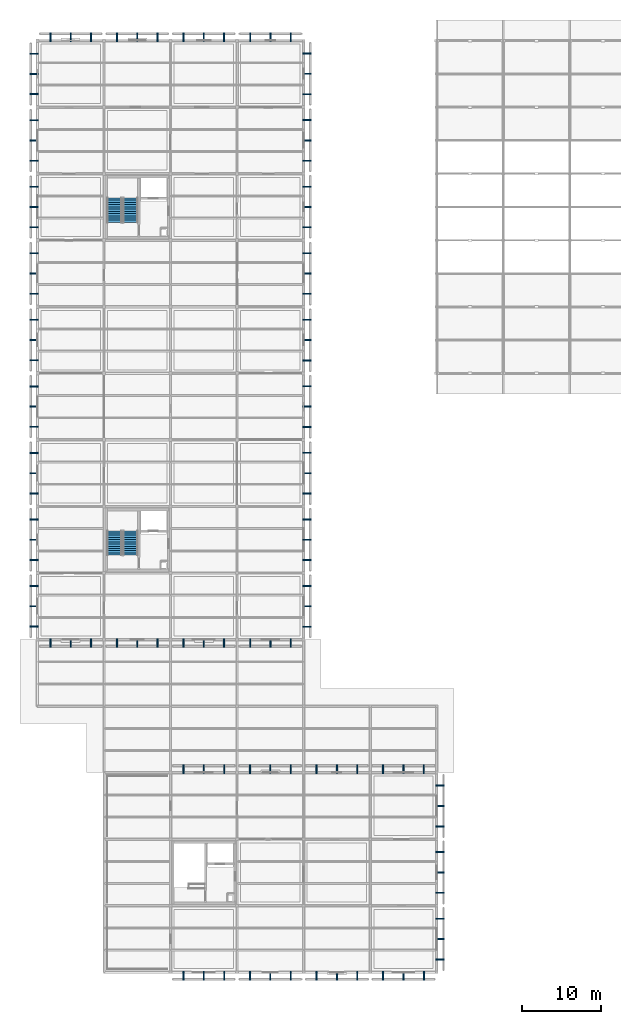
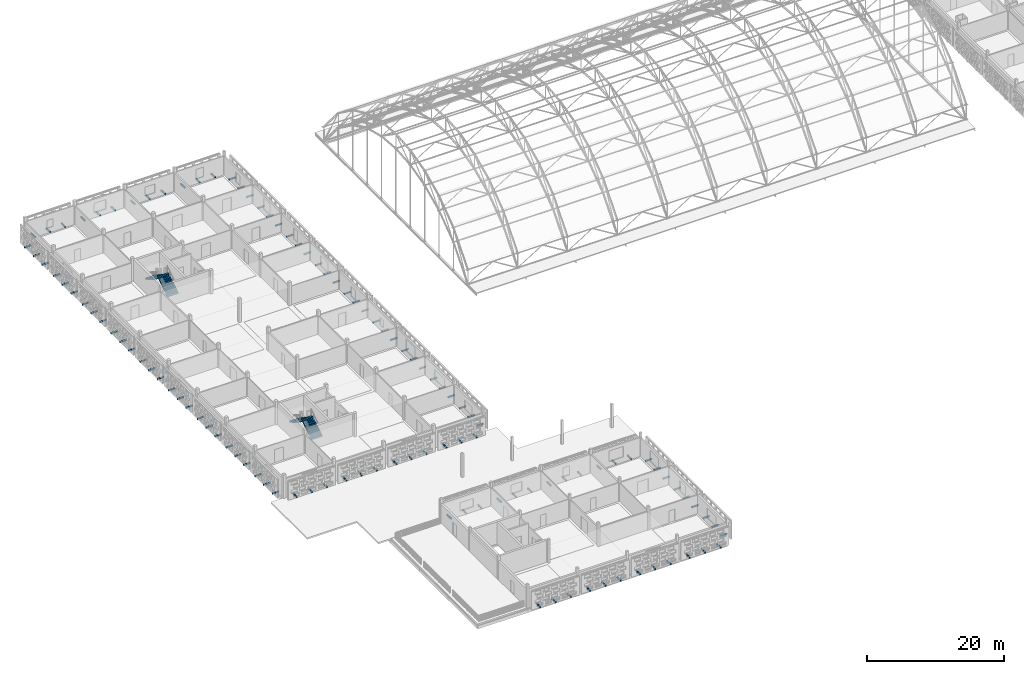
# One storey, part 77 of 103: 111 discrete accessories, 4 stair flights, 2 elements without a shape of their own.
"""IFC4 building model written with IfcOpenShell, lengths in metres."""

from ifc_helpers import new_model, si_unit, direction, frame, origin, origin_2d, place, context, subcontext, project, spatial, polyline, rectangle, outline, extrude, material, type_object, element, aggregate, save


model = new_model("IFC4")

# Units and contexts
model_context = context("Model", 3, precision=1e-05, world=origin(), true_north=direction((0.0, 1.0)))
body_context = subcontext(model_context, "Body", "Model", "MODEL_VIEW")
ifc_project = project(units=[si_unit("LENGTHUNIT", "METRE"), si_unit("AREAUNIT", "SQUARE_METRE"), si_unit("VOLUMEUNIT", "CUBIC_METRE"), si_unit("PLANEANGLEUNIT", "RADIAN"), si_unit("MASSUNIT", "GRAM", prefix="KILO")], contexts=[model_context])

# Site, building, storey
site_placement = place(None, origin())
site = spatial("IfcSite", under=ifc_project, at=site_placement, CompositionType="ELEMENT")
building_placement = place(site_placement, origin())
building = spatial("IfcBuilding", under=site, at=building_placement, Name="Varnapada Polytechnic", CompositionType="ELEMENT")
storey_placement = place(building_placement, frame((0.0, 0.0, 18.0)))
storey = spatial("IfcBuildingStorey", under=building, at=storey_placement, Name="L04", CompositionType="ELEMENT", Elevation=18.0)

# Stair, stair flights
ifc_material_1 = material(Name="Concrete C40/50", Category="concrete")
stair_type = type_object("IfcStairType", Name="Core Exit Stair ST-A", PredefinedType="HALF_TURN_STAIR", material=ifc_material_1)
stair_1_placement = place(storey_placement, origin())
stair_1 = element("IfcStair", 1, at=stair_1_placement, inside=storey, type_object=stair_type, Name="L04 Core C1 Exit Stair", PredefinedType="HALF_TURN_STAIR")
stair_flight_type = type_object("IfcStairFlightType", Name="Stair Flight SFL-01", PredefinedType="STRAIGHT", material=ifc_material_1)
stair_flight_1_placement = place(storey_placement, frame((11.77490234375, 103.050048828125, 0.0), z_axis=(0.0, 0.0, 1.0), x_axis=(0.0, 1.0, 0.0)))
stair_flight_1 = element("IfcStairFlight", 2, at=stair_flight_1_placement, type_object=stair_flight_type, Name="ST-1 flight 1", NumberOfRisers=12, NumberOfTreads=11, PredefinedType="STRAIGHT", RiserHeight=0.175, TreadLength=0.28, context=body_context, shape_type="SweptSolid", body=[
    extrude(outline(polyline([(0.0, 0.0), (0.0, 0.175048828125), (0.280029296875, 0.175048828125), (0.280029296875, 0.35009765625), (0.56005859375, 0.35009765625), (0.56005859375, 0.52490234375), (0.840087890625, 0.52490234375), (0.840087890625, 0.699951171875), (1.1201171875, 0.699951171875), (1.1201171875, 0.875), (1.39990234375, 0.875), (1.39990234375, 1.050048828125), (1.679931640625, 1.050048828125), (1.679931640625, 1.22509765625), (1.9599609375, 1.22509765625), (1.9599609375, 1.39990234375), (2.239990234375, 1.39990234375), (2.239990234375, 1.574951171875), (2.52001953125, 1.574951171875), (2.52001953125, 1.75), (2.800048828125, 1.75), (2.800048828125, 1.925048828125), (3.080078125, 1.925048828125), (3.080078125, 2.10009765625), (3.080078125, 1.712890625), (0.339599609375, 0.0), (0.0, 0.0)])), frame((0.0, 0.925048828125, 0.0), z_axis=(0.0, -1.0, 0.0), x_axis=(1.0, 0.0, 0.0)), (0.0, 0.0, 1.0), 1.85009765625),
])
stair_flight_2_placement = place(storey_placement, frame((9.72509765625, 106.1298828125, 2.10009765625), z_axis=(0.0, 0.0, 1.0), x_axis=(0.0, -1.0, 0.0)))
stair_flight_2 = element("IfcStairFlight", 3, at=stair_flight_2_placement, type_object=stair_flight_type, Name="ST-1 flight 2", NumberOfRisers=12, NumberOfTreads=11, PredefinedType="STRAIGHT", RiserHeight=0.175, TreadLength=0.28, context=body_context, shape_type="SweptSolid", body=[
    extrude(outline(polyline([(0.0, 0.0), (0.0, 0.175048828125), (0.280029296875, 0.175048828125), (0.280029296875, 0.35009765625), (0.56005859375, 0.35009765625), (0.56005859375, 0.52490234375), (0.840087890625, 0.52490234375), (0.840087890625, 0.699951171875), (1.1201171875, 0.699951171875), (1.1201171875, 0.875), (1.39990234375, 0.875), (1.39990234375, 1.050048828125), (1.679931640625, 1.050048828125), (1.679931640625, 1.22509765625), (1.9599609375, 1.22509765625), (1.9599609375, 1.39990234375), (2.239990234375, 1.39990234375), (2.239990234375, 1.574951171875), (2.52001953125, 1.574951171875), (2.52001953125, 1.75), (2.800048828125, 1.75), (2.800048828125, 1.925048828125), (3.080078125, 1.925048828125), (3.080078125, 2.10009765625), (3.080078125, 1.712890625), (0.339599609375, 0.0), (0.0, 0.0)])), frame((0.0, 0.925048828125, 0.0), z_axis=(0.0, -1.0, 0.0), x_axis=(1.0, 0.0, 0.0)), (0.0, 0.0, 1.0), 1.85009765625),
])
aggregate(stair_1, [stair_flight_1, stair_flight_2])

stair_2_placement = place(storey_placement, origin())
stair_2 = element("IfcStair", 4, at=stair_2_placement, inside=storey, type_object=stair_type, Name="L04 Core C2 Exit Stair", PredefinedType="HALF_TURN_STAIR")
stair_flight_3_placement = place(storey_placement, frame((11.77490234375, 61.050048828125, 0.0), z_axis=(0.0, 0.0, 1.0), x_axis=(0.0, 1.0, 0.0)))
stair_flight_3 = element("IfcStairFlight", 5, at=stair_flight_3_placement, type_object=stair_flight_type, Name="ST-2 flight 1", NumberOfRisers=12, NumberOfTreads=11, PredefinedType="STRAIGHT", RiserHeight=0.175, TreadLength=0.28, context=body_context, shape_type="SweptSolid", body=[
    extrude(outline(polyline([(0.0, 0.0), (0.0, 0.175048828125), (0.280029296875, 0.175048828125), (0.280029296875, 0.35009765625), (0.56005859375, 0.35009765625), (0.56005859375, 0.52490234375), (0.840087890625, 0.52490234375), (0.840087890625, 0.699951171875), (1.1201171875, 0.699951171875), (1.1201171875, 0.875), (1.39990234375, 0.875), (1.39990234375, 1.050048828125), (1.679931640625, 1.050048828125), (1.679931640625, 1.22509765625), (1.9599609375, 1.22509765625), (1.9599609375, 1.39990234375), (2.239990234375, 1.39990234375), (2.239990234375, 1.574951171875), (2.52001953125, 1.574951171875), (2.52001953125, 1.75), (2.800048828125, 1.75), (2.800048828125, 1.925048828125), (3.080078125, 1.925048828125), (3.080078125, 2.10009765625), (3.080078125, 1.712890625), (0.339599609375, 0.0), (0.0, 0.0)])), frame((0.0, 0.925048828125, 0.0), z_axis=(0.0, -1.0, 0.0), x_axis=(1.0, 0.0, 0.0)), (0.0, 0.0, 1.0), 1.85009765625),
])
stair_flight_4_placement = place(storey_placement, frame((9.72509765625, 64.1298828125, 2.10009765625), z_axis=(0.0, 0.0, 1.0), x_axis=(0.0, -1.0, 0.0)))
stair_flight_4 = element("IfcStairFlight", 6, at=stair_flight_4_placement, type_object=stair_flight_type, Name="ST-2 flight 2", NumberOfRisers=12, NumberOfTreads=11, PredefinedType="STRAIGHT", RiserHeight=0.175, TreadLength=0.28, context=body_context, shape_type="SweptSolid", body=[
    extrude(outline(polyline([(0.0, 0.0), (0.0, 0.175048828125), (0.280029296875, 0.175048828125), (0.280029296875, 0.35009765625), (0.56005859375, 0.35009765625), (0.56005859375, 0.52490234375), (0.840087890625, 0.52490234375), (0.840087890625, 0.699951171875), (1.1201171875, 0.699951171875), (1.1201171875, 0.875), (1.39990234375, 0.875), (1.39990234375, 1.050048828125), (1.679931640625, 1.050048828125), (1.679931640625, 1.22509765625), (1.9599609375, 1.22509765625), (1.9599609375, 1.39990234375), (2.239990234375, 1.39990234375), (2.239990234375, 1.574951171875), (2.52001953125, 1.574951171875), (2.52001953125, 1.75), (2.800048828125, 1.75), (2.800048828125, 1.925048828125), (3.080078125, 1.925048828125), (3.080078125, 2.10009765625), (3.080078125, 1.712890625), (0.339599609375, 0.0), (0.0, 0.0)])), frame((0.0, 0.925048828125, 0.0), z_axis=(0.0, -1.0, 0.0), x_axis=(1.0, 0.0, 0.0)), (0.0, 0.0, 1.0), 1.85009765625),
])
aggregate(stair_2, [stair_flight_3, stair_flight_4])

# Discrete accessories
ifc_material_2 = material(Name="Steel S355", Category="steel")
discrete_accessory_type = type_object("IfcDiscreteAccessoryType", Name="Screen Outrigger Bracket BRK-01", PredefinedType="BRACKET", material=ifc_material_2)
for number, where, z_axis, x_axis, name in (
    (7, (6.753662109375, 49.97509765625, -0.0498046875), (0.0, 0.0, 1.0), (-1.0, 0.0, 0.0), "L04 terracotta screen outrigger bracket 1.1"),
    (8, (4.199951171875, 49.97509765625, -0.0498046875), (0.0, 0.0, 1.0), (-1.0, 0.0, 0.0), "L04 terracotta screen outrigger bracket 1.2"),
    (9, (1.646484375, 49.97509765625, -0.0498046875), (0.0, 0.0, 1.0), (-1.0, 0.0, 0.0), "L04 terracotta screen outrigger bracket 1.3"),
    (10, (-0.425048828125, 52.04638671875, -0.0498046875), (0.0, 0.0, 1.0), (0.0, 1.0, 0.0), "L04 terracotta screen outrigger bracket 2.1"),
    (11, (-0.425048828125, 54.60009765625, -0.0498046875), (0.0, 0.0, 1.0), (0.0, 1.0, 0.0), "L04 terracotta screen outrigger bracket 2.2"),
    (12, (-0.425048828125, 57.153564453125, -0.0498046875), (0.0, 0.0, 1.0), (0.0, 1.0, 0.0), "L04 terracotta screen outrigger bracket 2.3"),
    (13, (-0.425048828125, 60.4462890625, -0.0498046875), (0.0, 0.0, 1.0), (0.0, 1.0, 0.0), "L04 terracotta screen outrigger bracket 3.1"),
    (14, (-0.425048828125, 63.0, -0.0498046875), (0.0, 0.0, 1.0), (0.0, 1.0, 0.0), "L04 terracotta screen outrigger bracket 3.2"),
    (15, (-0.425048828125, 65.5537109375, -0.0498046875), (0.0, 0.0, 1.0), (0.0, 1.0, 0.0), "L04 terracotta screen outrigger bracket 3.3"),
    (16, (-0.425048828125, 68.846435546875, -0.0498046875), (0.0, 0.0, 1.0), (0.0, 1.0, 0.0), "L04 terracotta screen outrigger bracket 4.1"),
    (17, (-0.425048828125, 71.39990234375, -0.0498046875), (0.0, 0.0, 1.0), (0.0, 1.0, 0.0), "L04 terracotta screen outrigger bracket 4.2"),
    (18, (-0.425048828125, 73.95361328125, -0.0498046875), (0.0, 0.0, 1.0), (0.0, 1.0, 0.0), "L04 terracotta screen outrigger bracket 4.3"),
    (19, (-0.425048828125, 77.246337890625, -0.0498046875), (0.0, 0.0, 1.0), (0.0, 1.0, 0.0), "L04 terracotta screen outrigger bracket 5.1"),
    (20, (-0.425048828125, 79.800048828125, -0.0498046875), (0.0, 0.0, 1.0), (0.0, 1.0, 0.0), "L04 terracotta screen outrigger bracket 5.2"),
    (21, (-0.425048828125, 82.353515625, -0.0498046875), (0.0, 0.0, 1.0), (0.0, 1.0, 0.0), "L04 terracotta screen outrigger bracket 5.3"),
    (22, (-0.425048828125, 85.646484375, -0.0498046875), (0.0, 0.0, 1.0), (0.0, 1.0, 0.0), "L04 terracotta screen outrigger bracket 6.1"),
    (23, (-0.425048828125, 88.199951171875, -0.0498046875), (0.0, 0.0, 1.0), (0.0, 1.0, 0.0), "L04 terracotta screen outrigger bracket 6.2"),
    (24, (-0.425048828125, 90.753662109375, -0.0498046875), (0.0, 0.0, 1.0), (0.0, 1.0, 0.0), "L04 terracotta screen outrigger bracket 6.3"),
    (25, (-0.425048828125, 94.04638671875, -0.0498046875), (0.0, 0.0, 1.0), (0.0, 1.0, 0.0), "L04 terracotta screen outrigger bracket 7.1"),
    (26, (-0.425048828125, 96.60009765625, -0.0498046875), (0.0, 0.0, 1.0), (0.0, 1.0, 0.0), "L04 terracotta screen outrigger bracket 7.2"),
    (27, (-0.425048828125, 99.153564453125, -0.0498046875), (0.0, 0.0, 1.0), (0.0, 1.0, 0.0), "L04 terracotta screen outrigger bracket 7.3"),
    (28, (-0.425048828125, 102.4462890625, -0.0498046875), (0.0, 0.0, 1.0), (0.0, 1.0, 0.0), "L04 terracotta screen outrigger bracket 8.1"),
    (29, (-0.425048828125, 105.0, -0.0498046875), (0.0, 0.0, 1.0), (0.0, 1.0, 0.0), "L04 terracotta screen outrigger bracket 8.2"),
    (30, (-0.425048828125, 107.5537109375, -0.0498046875), (0.0, 0.0, 1.0), (0.0, 1.0, 0.0), "L04 terracotta screen outrigger bracket 8.3"),
    (31, (-0.425048828125, 110.846435546875, -0.0498046875), (0.0, 0.0, 1.0), (0.0, 1.0, 0.0), "L04 terracotta screen outrigger bracket 9.1"),
    (32, (-0.425048828125, 113.39990234375, -0.0498046875), (0.0, 0.0, 1.0), (0.0, 1.0, 0.0), "L04 terracotta screen outrigger bracket 9.2"),
    (33, (-0.425048828125, 115.95361328125, -0.0498046875), (0.0, 0.0, 1.0), (0.0, 1.0, 0.0), "L04 terracotta screen outrigger bracket 9.3"),
    (34, (1.646484375, 126.425048828125, -0.0498046875), (0.0, 0.0, 1.0), (1.0, 0.0, 0.0), "L04 terracotta screen outrigger bracket 10.1"),
    (35, (4.199951171875, 126.425048828125, -0.0498046875), (0.0, 0.0, 1.0), (1.0, 0.0, 0.0), "L04 terracotta screen outrigger bracket 10.2"),
    (36, (6.753662109375, 126.425048828125, -0.0498046875), (0.0, 0.0, 1.0), (1.0, 0.0, 0.0), "L04 terracotta screen outrigger bracket 10.3"),
    (37, (-0.425048828125, 119.246337890625, -0.0498046875), (0.0, 0.0, 1.0), (0.0, 1.0, 0.0), "L04 terracotta screen outrigger bracket 11.1"),
    (38, (-0.425048828125, 121.800048828125, -0.0498046875), (0.0, 0.0, 1.0), (0.0, 1.0, 0.0), "L04 terracotta screen outrigger bracket 11.2"),
    (39, (-0.425048828125, 124.353515625, -0.0498046875), (0.0, 0.0, 1.0), (0.0, 1.0, 0.0), "L04 terracotta screen outrigger bracket 11.3"),
    (40, (15.153564453125, 49.97509765625, -0.0498046875), (0.0, 0.0, 1.0), (-1.0, 0.0, 0.0), "L04 terracotta screen outrigger bracket 12.1"),
    (41, (12.60009765625, 49.97509765625, -0.0498046875), (0.0, 0.0, 1.0), (-1.0, 0.0, 0.0), "L04 terracotta screen outrigger bracket 12.2"),
    (42, (10.04638671875, 49.97509765625, -0.0498046875), (0.0, 0.0, 1.0), (-1.0, 0.0, 0.0), "L04 terracotta screen outrigger bracket 12.3"),
    (43, (10.04638671875, 126.425048828125, -0.0498046875), (0.0, 0.0, 1.0), (1.0, 0.0, 0.0), "L04 terracotta screen outrigger bracket 13.1"),
    (44, (12.60009765625, 126.425048828125, -0.0498046875), (0.0, 0.0, 1.0), (1.0, 0.0, 0.0), "L04 terracotta screen outrigger bracket 13.2"),
    (45, (15.153564453125, 126.425048828125, -0.0498046875), (0.0, 0.0, 1.0), (1.0, 0.0, 0.0), "L04 terracotta screen outrigger bracket 13.3"),
    (46, (23.5791015625, 7.97509765625, -0.0498046875), (0.0, 0.0, 1.0), (-1.0, 0.0, 0.0), "L04 terracotta screen outrigger bracket 14.1"),
    (47, (21.0, 7.97509765625, -0.0498046875), (0.0, 0.0, 1.0), (-1.0, 0.0, 0.0), "L04 terracotta screen outrigger bracket 14.2"),
    (48, (18.4208984375, 7.97509765625, -0.0498046875), (0.0, 0.0, 1.0), (-1.0, 0.0, 0.0), "L04 terracotta screen outrigger bracket 14.3"),
    (49, (18.42724609375, 34.02490234375, -0.0498046875), (0.0, 0.0, 1.0), (1.0, 0.0, 0.0), "L04 terracotta screen outrigger bracket 17.1"),
    (50, (21.0, 34.02490234375, -0.0498046875), (0.0, 0.0, 1.0), (1.0, 0.0, 0.0), "L04 terracotta screen outrigger bracket 17.2"),
    (51, (23.57275390625, 34.02490234375, -0.0498046875), (0.0, 0.0, 1.0), (1.0, 0.0, 0.0), "L04 terracotta screen outrigger bracket 17.3"),
    (52, (23.5537109375, 49.97509765625, -0.0498046875), (0.0, 0.0, 1.0), (-1.0, 0.0, 0.0), "L04 terracotta screen outrigger bracket 19.1"),
    (53, (21.0, 49.97509765625, -0.0498046875), (0.0, 0.0, 1.0), (-1.0, 0.0, 0.0), "L04 terracotta screen outrigger bracket 19.2"),
    (54, (18.4462890625, 49.97509765625, -0.0498046875), (0.0, 0.0, 1.0), (-1.0, 0.0, 0.0), "L04 terracotta screen outrigger bracket 19.3"),
    (55, (18.4462890625, 126.425048828125, -0.0498046875), (0.0, 0.0, 1.0), (1.0, 0.0, 0.0), "L04 terracotta screen outrigger bracket 20.1"),
    (56, (21.0, 126.425048828125, -0.0498046875), (0.0, 0.0, 1.0), (1.0, 0.0, 0.0), "L04 terracotta screen outrigger bracket 20.2"),
    (57, (23.5537109375, 126.425048828125, -0.0498046875), (0.0, 0.0, 1.0), (1.0, 0.0, 0.0), "L04 terracotta screen outrigger bracket 20.3"),
    (58, (31.979248046875, 7.97509765625, -0.0498046875), (0.0, 0.0, 1.0), (-1.0, 0.0, 0.0), "L04 terracotta screen outrigger bracket 21.1"),
    (59, (29.39990234375, 7.97509765625, -0.0498046875), (0.0, 0.0, 1.0), (-1.0, 0.0, 0.0), "L04 terracotta screen outrigger bracket 21.2"),
    (60, (26.82080078125, 7.97509765625, -0.0498046875), (0.0, 0.0, 1.0), (-1.0, 0.0, 0.0), "L04 terracotta screen outrigger bracket 21.3"),
    (61, (26.8271484375, 34.02490234375, -0.0498046875), (0.0, 0.0, 1.0), (1.0, 0.0, 0.0), "L04 terracotta screen outrigger bracket 22.1"),
    (62, (29.39990234375, 34.02490234375, -0.0498046875), (0.0, 0.0, 1.0), (1.0, 0.0, 0.0), "L04 terracotta screen outrigger bracket 22.2"),
    (63, (31.972900390625, 34.02490234375, -0.0498046875), (0.0, 0.0, 1.0), (1.0, 0.0, 0.0), "L04 terracotta screen outrigger bracket 22.3"),
    (64, (31.978271484375, 49.97509765625, -0.0498046875), (0.0, 0.0, 1.0), (-1.0, 0.0, 0.0), "L04 terracotta screen outrigger bracket 23.1"),
    (65, (29.4150390625, 49.97509765625, -0.0498046875), (0.0, 0.0, 1.0), (-1.0, 0.0, 0.0), "L04 terracotta screen outrigger bracket 23.2"),
    (66, (26.851806640625, 49.97509765625, -0.0498046875), (0.0, 0.0, 1.0), (-1.0, 0.0, 0.0), "L04 terracotta screen outrigger bracket 23.3"),
    (67, (34.02490234375, 57.16455078125, -0.0498046875), (0.0, 0.0, 1.0), (0.0, -1.0, 0.0), "L04 terracotta screen outrigger bracket 24.1"),
    (68, (34.02490234375, 54.594970703125, -0.0498046875), (0.0, 0.0, 1.0), (0.0, -1.0, 0.0), "L04 terracotta screen outrigger bracket 24.2"),
    (69, (34.02490234375, 52.025390625, -0.0498046875), (0.0, 0.0, 1.0), (0.0, -1.0, 0.0), "L04 terracotta screen outrigger bracket 24.3"),
    (70, (34.02490234375, 65.56640625, -0.0498046875), (0.0, 0.0, 1.0), (0.0, -1.0, 0.0), "L04 terracotta screen outrigger bracket 25.1"),
    (71, (34.02490234375, 63.0, -0.0498046875), (0.0, 0.0, 1.0), (0.0, -1.0, 0.0), "L04 terracotta screen outrigger bracket 25.2"),
    (72, (34.02490234375, 60.43359375, -0.0498046875), (0.0, 0.0, 1.0), (0.0, -1.0, 0.0), "L04 terracotta screen outrigger bracket 25.3"),
    (73, (34.02490234375, 73.96630859375, -0.0498046875), (0.0, 0.0, 1.0), (0.0, -1.0, 0.0), "L04 terracotta screen outrigger bracket 26.1"),
    (74, (34.02490234375, 71.39990234375, -0.0498046875), (0.0, 0.0, 1.0), (0.0, -1.0, 0.0), "L04 terracotta screen outrigger bracket 26.2"),
    (75, (34.02490234375, 68.83349609375, -0.0498046875), (0.0, 0.0, 1.0), (0.0, -1.0, 0.0), "L04 terracotta screen outrigger bracket 26.3"),
    (76, (34.02490234375, 82.366455078125, -0.0498046875), (0.0, 0.0, 1.0), (0.0, -1.0, 0.0), "L04 terracotta screen outrigger bracket 27.1"),
    (77, (34.02490234375, 79.800048828125, -0.0498046875), (0.0, 0.0, 1.0), (0.0, -1.0, 0.0), "L04 terracotta screen outrigger bracket 27.2"),
    (78, (34.02490234375, 77.233642578125, -0.0498046875), (0.0, 0.0, 1.0), (0.0, -1.0, 0.0), "L04 terracotta screen outrigger bracket 27.3"),
    (79, (34.02490234375, 90.766357421875, -0.0498046875), (0.0, 0.0, 1.0), (0.0, -1.0, 0.0), "L04 terracotta screen outrigger bracket 28.1"),
    (80, (34.02490234375, 88.199951171875, -0.0498046875), (0.0, 0.0, 1.0), (0.0, -1.0, 0.0), "L04 terracotta screen outrigger bracket 28.2"),
    (81, (34.02490234375, 85.633544921875, -0.0498046875), (0.0, 0.0, 1.0), (0.0, -1.0, 0.0), "L04 terracotta screen outrigger bracket 28.3"),
    (82, (34.02490234375, 99.16650390625, -0.0498046875), (0.0, 0.0, 1.0), (0.0, -1.0, 0.0), "L04 terracotta screen outrigger bracket 29.1"),
    (83, (34.02490234375, 96.60009765625, -0.0498046875), (0.0, 0.0, 1.0), (0.0, -1.0, 0.0), "L04 terracotta screen outrigger bracket 29.2"),
    (84, (34.02490234375, 94.03369140625, -0.0498046875), (0.0, 0.0, 1.0), (0.0, -1.0, 0.0), "L04 terracotta screen outrigger bracket 29.3"),
    (85, (34.02490234375, 107.56640625, -0.0498046875), (0.0, 0.0, 1.0), (0.0, -1.0, 0.0), "L04 terracotta screen outrigger bracket 30.1"),
    (86, (34.02490234375, 105.0, -0.0498046875), (0.0, 0.0, 1.0), (0.0, -1.0, 0.0), "L04 terracotta screen outrigger bracket 30.2"),
    (87, (34.02490234375, 102.43359375, -0.0498046875), (0.0, 0.0, 1.0), (0.0, -1.0, 0.0), "L04 terracotta screen outrigger bracket 30.3"),
    (88, (34.02490234375, 115.96630859375, -0.0498046875), (0.0, 0.0, 1.0), (0.0, -1.0, 0.0), "L04 terracotta screen outrigger bracket 31.1"),
    (89, (34.02490234375, 113.39990234375, -0.0498046875), (0.0, 0.0, 1.0), (0.0, -1.0, 0.0), "L04 terracotta screen outrigger bracket 31.2"),
    (90, (34.02490234375, 110.83349609375, -0.0498046875), (0.0, 0.0, 1.0), (0.0, -1.0, 0.0), "L04 terracotta screen outrigger bracket 31.3"),
    (91, (26.853515625, 126.425048828125, -0.0498046875), (0.0, 0.0, 1.0), (1.0, 0.0, 0.0), "L04 terracotta screen outrigger bracket 32.1"),
    (92, (29.419921875, 126.425048828125, -0.0498046875), (0.0, 0.0, 1.0), (1.0, 0.0, 0.0), "L04 terracotta screen outrigger bracket 32.2"),
    (93, (31.986328125, 126.425048828125, -0.0498046875), (0.0, 0.0, 1.0), (1.0, 0.0, 0.0), "L04 terracotta screen outrigger bracket 32.3"),
    (94, (34.02490234375, 124.3828125, -0.0498046875), (0.0, 0.0, 1.0), (0.0, -1.0, 0.0), "L04 terracotta screen outrigger bracket 33.1"),
    (95, (34.02490234375, 121.81005859375, -0.0498046875), (0.0, 0.0, 1.0), (0.0, -1.0, 0.0), "L04 terracotta screen outrigger bracket 33.2"),
    (96, (34.02490234375, 119.2373046875, -0.0498046875), (0.0, 0.0, 1.0), (0.0, -1.0, 0.0), "L04 terracotta screen outrigger bracket 33.3"),
    (97, (40.379150390625, 7.97509765625, -0.0498046875), (0.0, 0.0, 1.0), (-1.0, 0.0, 0.0), "L04 terracotta screen outrigger bracket 34.1"),
    (98, (37.800048828125, 7.97509765625, -0.0498046875), (0.0, 0.0, 1.0), (-1.0, 0.0, 0.0), "L04 terracotta screen outrigger bracket 34.2"),
    (99, (35.220703125, 7.97509765625, -0.0498046875), (0.0, 0.0, 1.0), (-1.0, 0.0, 0.0), "L04 terracotta screen outrigger bracket 34.3"),
    (100, (35.227294921875, 34.02490234375, -0.0498046875), (0.0, 0.0, 1.0), (1.0, 0.0, 0.0), "L04 terracotta screen outrigger bracket 35.1"),
    (101, (37.800048828125, 34.02490234375, -0.0498046875), (0.0, 0.0, 1.0), (1.0, 0.0, 0.0), "L04 terracotta screen outrigger bracket 35.2"),
    (102, (40.372802734375, 34.02490234375, -0.0498046875), (0.0, 0.0, 1.0), (1.0, 0.0, 0.0), "L04 terracotta screen outrigger bracket 35.3"),
    (103, (48.779296875, 7.97509765625, -0.0498046875), (0.0, 0.0, 1.0), (-1.0, 0.0, 0.0), "L04 terracotta screen outrigger bracket 36.1"),
    (104, (46.199951171875, 7.97509765625, -0.0498046875), (0.0, 0.0, 1.0), (-1.0, 0.0, 0.0), "L04 terracotta screen outrigger bracket 36.2"),
    (105, (43.620849609375, 7.97509765625, -0.0498046875), (0.0, 0.0, 1.0), (-1.0, 0.0, 0.0), "L04 terracotta screen outrigger bracket 36.3"),
    (106, (50.824951171875, 15.1708984375, -0.0498046875), (0.0, 0.0, 1.0), (0.0, -1.0, 0.0), "L04 terracotta screen outrigger bracket 37.1"),
    (107, (50.824951171875, 12.594970703125, -0.0498046875), (0.0, 0.0, 1.0), (0.0, -1.0, 0.0), "L04 terracotta screen outrigger bracket 37.2"),
    (108, (50.824951171875, 10.01904296875, -0.0498046875), (0.0, 0.0, 1.0), (0.0, -1.0, 0.0), "L04 terracotta screen outrigger bracket 37.3"),
    (109, (50.824951171875, 23.5810546875, -0.0498046875), (0.0, 0.0, 1.0), (0.0, -1.0, 0.0), "L04 terracotta screen outrigger bracket 38.1"),
    (110, (50.824951171875, 21.0048828125, -0.0498046875), (0.0, 0.0, 1.0), (0.0, -1.0, 0.0), "L04 terracotta screen outrigger bracket 38.2"),
    (111, (50.824951171875, 18.428955078125, -0.0498046875), (0.0, 0.0, 1.0), (0.0, -1.0, 0.0), "L04 terracotta screen outrigger bracket 38.3"),
    (112, (43.627197265625, 34.02490234375, -0.0498046875), (0.0, 0.0, 1.0), (1.0, 0.0, 0.0), "L04 terracotta screen outrigger bracket 39.1"),
    (113, (46.199951171875, 34.02490234375, -0.0498046875), (0.0, 0.0, 1.0), (1.0, 0.0, 0.0), "L04 terracotta screen outrigger bracket 39.2"),
    (114, (48.772705078125, 34.02490234375, -0.0498046875), (0.0, 0.0, 1.0), (1.0, 0.0, 0.0), "L04 terracotta screen outrigger bracket 39.3"),
    (115, (50.824951171875, 31.970947265625, -0.0498046875), (0.0, 0.0, 1.0), (0.0, -1.0, 0.0), "L04 terracotta screen outrigger bracket 40.1"),
    (116, (50.824951171875, 29.39501953125, -0.0498046875), (0.0, 0.0, 1.0), (0.0, -1.0, 0.0), "L04 terracotta screen outrigger bracket 40.2"),
    (117, (50.824951171875, 26.819091796875, -0.0498046875), (0.0, 0.0, 1.0), (0.0, -1.0, 0.0), "L04 terracotta screen outrigger bracket 40.3"),
):
    element("IfcDiscreteAccessory", number, at=place(storey_placement, frame(where, z_axis=z_axis, x_axis=x_axis)), inside=storey, type_object=discrete_accessory_type, Name=name, PredefinedType="BRACKET", context=body_context, shape_type="SweptSolid", body=[
        extrude(rectangle(XDim=0.159912109375, YDim=1.090087890625, at=origin_2d()), origin(), (0.0, 0.0, 1.0), 0.219970703125),
    ])

save(model, "model.ifc")
